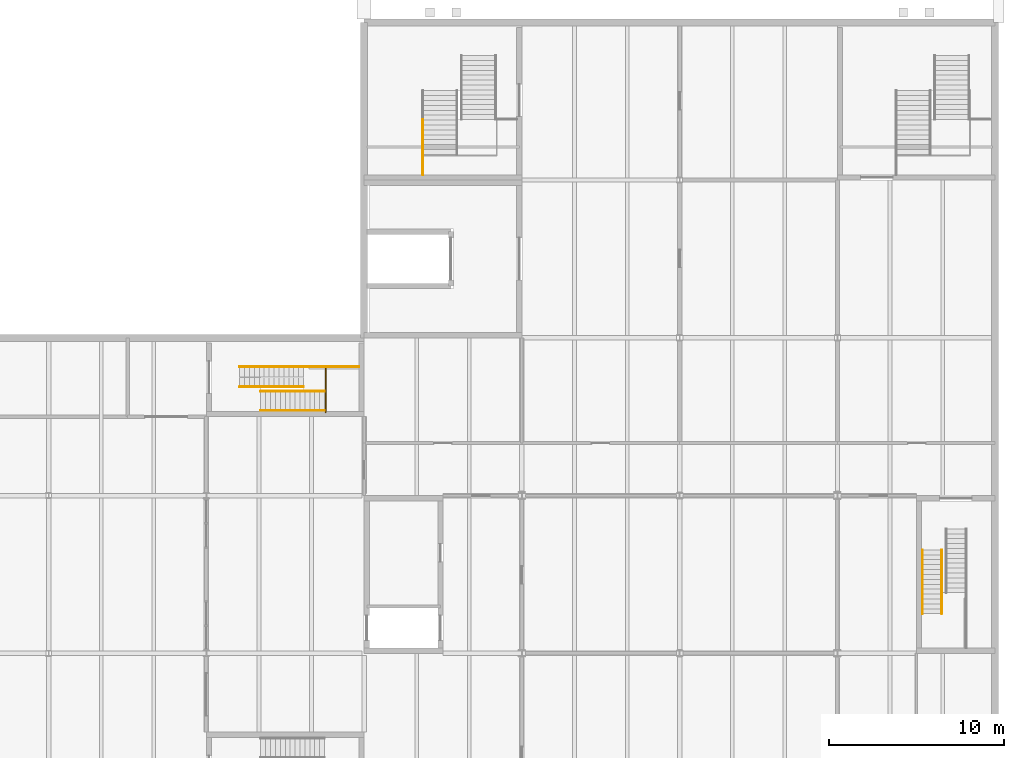
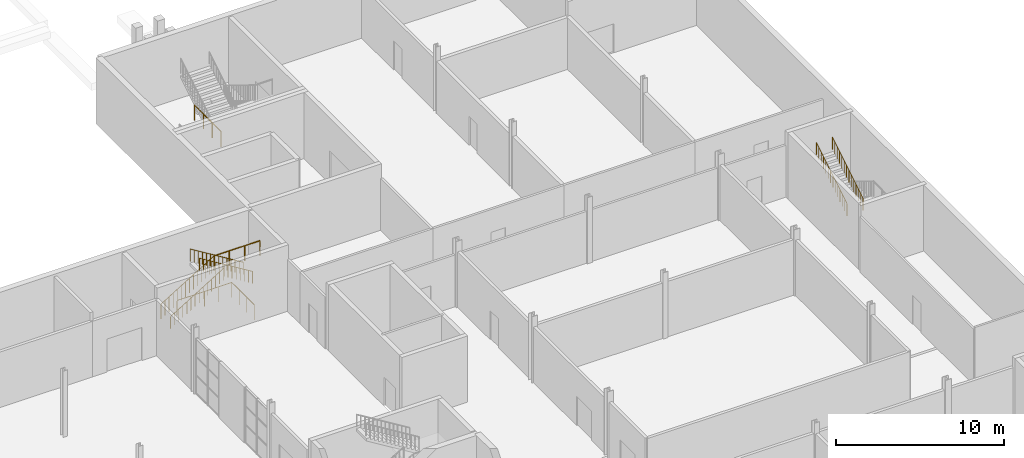
# One storey, part 29 of 31: 9 railings.
"""IFC4 building model written with IfcOpenShell, lengths in metres."""

from ifc_helpers import new_model, si_unit, direction, frame, origin, origin_2d, place, context, subcontext, project, spatial, circle, extrude, material, type_object, element, save


model = new_model("IFC4")

# Units and contexts
model_context = context("Model", 3, precision=1e-05, world=origin(), true_north=direction((0.0, 1.0)))
body_context = subcontext(model_context, "Body", "Model", "MODEL_VIEW")
ifc_project = project(units=[si_unit("LENGTHUNIT", "METRE"), si_unit("AREAUNIT", "SQUARE_METRE"), si_unit("VOLUMEUNIT", "CUBIC_METRE"), si_unit("PLANEANGLEUNIT", "RADIAN"), si_unit("MASSUNIT", "GRAM", prefix="KILO")], contexts=[model_context])

# Site, building, storey
site_placement = place(None, origin())
site = spatial("IfcSite", under=ifc_project, at=site_placement, CompositionType="ELEMENT")
building_placement = place(site_placement, origin())
building = spatial("IfcBuilding", under=site, at=building_placement, Name="Halyard Row Museum", CompositionType="ELEMENT")
storey_placement = place(building_placement, frame((0.0, 0.0, -4.800048828125)))
storey = spatial("IfcBuildingStorey", under=building, at=storey_placement, Name="B1", CompositionType="ELEMENT", Elevation=-4.800048828125)

# Railings
ifc_material_1 = material(Name="Steel Grade 300", Category="steel")
railing_type_1 = type_object("IfcRailingType", Name="Guard GR2 steel balustrade 1100", PredefinedType="GUARDRAIL", material=ifc_material_1)
railing_1_placement = place(storey_placement, frame((64.89990234375, 43.35009765625, 0.17138671875)))
element("IfcRailing", 1, at=railing_1_placement, inside=storey, type_object=railing_type_1, Name="Guard GR011", PredefinedType="GUARDRAIL", context=body_context, shape_type="SweptSolid", body=[
    extrude(circle(Radius=0.02392578125, at=origin_2d()), frame((0.0, 0.0, 1.076171875), z_axis=(0.852601252411, 0.0, 0.522562057929), x_axis=(0.0, 1.0, 0.0)), (0.0, 0.0, 1.0), 0.328369140625),
    extrude(circle(Radius=0.02392578125, at=origin_2d()), frame((0.280029296875, 0.0, 1.24755859375), z_axis=(0.852932391421, 0.0, 0.522021393877), x_axis=(0.0, 1.0, 0.0)), (0.0, 0.0, 1.0), 0.328369140625),
    extrude(circle(Radius=0.02392578125, at=origin_2d()), frame((0.56005859375, 0.0, 1.4189453125), z_axis=(0.852932391421, 0.0, 0.522021393877), x_axis=(0.0, 1.0, 0.0)), (0.0, 0.0, 1.0), 0.328369140625),
    extrude(circle(Radius=0.02392578125, at=origin_2d()), frame((0.840087890625, 0.0, 1.59033203125), z_axis=(0.852932391421, 0.0, 0.522021393877), x_axis=(0.0, 1.0, 0.0)), (0.0, 0.0, 1.0), 0.328369140625),
    extrude(circle(Radius=0.02392578125, at=origin_2d()), frame((1.1201171875, 0.0, 1.76171875), z_axis=(0.852932391421, 0.0, 0.522021393877), x_axis=(0.0, 1.0, 0.0)), (0.0, 0.0, 1.0), 0.328369140625),
    extrude(circle(Radius=0.02392578125, at=origin_2d()), frame((1.400146484375, 0.0, 1.93310546875), z_axis=(0.852932391421, 0.0, 0.522021393877), x_axis=(0.0, 1.0, 0.0)), (0.0, 0.0, 1.0), 0.328369140625),
    extrude(circle(Radius=0.02392578125, at=origin_2d()), frame((1.68017578125, 0.0, 2.1044921875), z_axis=(0.852601252411, 0.0, 0.522562057929), x_axis=(0.0, 1.0, 0.0)), (0.0, 0.0, 1.0), 0.328369140625),
    extrude(circle(Radius=0.02392578125, at=origin_2d()), frame((1.960205078125, 0.0, 2.2763671875), z_axis=(0.852729557261, 0.0, 0.522352660731), x_axis=(0.0, 1.0, 0.0)), (0.0, 0.0, 1.0), 0.328125),
    extrude(circle(Radius=0.02392578125, at=origin_2d()), frame((2.239990234375, 0.0, 2.44775390625), z_axis=(0.852932391421, 0.0, 0.522021393877), x_axis=(0.0, 1.0, 0.0)), (0.0, 0.0, 1.0), 0.328369140625),
    extrude(circle(Radius=0.02392578125, at=origin_2d()), frame((2.52001953125, 0.0, 2.619140625), z_axis=(0.852932391421, 0.0, 0.522021393877), x_axis=(0.0, 1.0, 0.0)), (0.0, 0.0, 1.0), 0.328369140625),
    extrude(circle(Radius=0.02392578125, at=origin_2d()), frame((2.800048828125, 0.0, 2.79052734375), z_axis=(0.852932391421, 0.0, 0.522021393877), x_axis=(0.0, 1.0, 0.0)), (0.0, 0.0, 1.0), 0.328369140625),
    extrude(circle(Radius=0.02392578125, at=origin_2d()), frame((3.080078125, 0.0, 2.9619140625), z_axis=(0.852932391421, 0.0, 0.522021393877), x_axis=(0.0, 1.0, 0.0)), (0.0, 0.0, 1.0), 0.328369140625),
    extrude(circle(Radius=0.02392578125, at=origin_2d()), frame((3.360107421875, 0.0, 3.13330078125), z_axis=(0.852601252411, 0.0, 0.522562057929), x_axis=(0.0, 1.0, 0.0)), (0.0, 0.0, 1.0), 0.328369140625),
    extrude(circle(Radius=0.02099609375, at=origin_2d()), origin(), (0.0, 0.0, 1.0), 1.052001953125),
    extrude(circle(Radius=0.02099609375, at=origin_2d()), frame((0.280029296875, 0.0, 0.171630859375)), (0.0, 0.0, 1.0), 1.052001953125),
    extrude(circle(Radius=0.02099609375, at=origin_2d()), frame((0.56005859375, 0.0, 0.343017578125)), (0.0, 0.0, 1.0), 1.052001953125),
    extrude(circle(Radius=0.02099609375, at=origin_2d()), frame((0.840087890625, 0.0, 0.514404296875)), (0.0, 0.0, 1.0), 1.052001953125),
    extrude(circle(Radius=0.02099609375, at=origin_2d()), frame((1.1201171875, 0.0, 0.685791015625)), (0.0, 0.0, 1.0), 1.052001953125),
    extrude(circle(Radius=0.02099609375, at=origin_2d()), frame((1.400146484375, 0.0, 0.857177734375)), (0.0, 0.0, 1.0), 1.052001953125),
    extrude(circle(Radius=0.02099609375, at=origin_2d()), frame((1.68017578125, 0.0, 1.028564453125)), (0.0, 0.0, 1.0), 1.052001953125),
    extrude(circle(Radius=0.02099609375, at=origin_2d()), frame((1.960205078125, 0.0, 1.2001953125)), (0.0, 0.0, 1.0), 1.052001953125),
    extrude(circle(Radius=0.02099609375, at=origin_2d()), frame((2.239990234375, 0.0, 1.37158203125)), (0.0, 0.0, 1.0), 1.052001953125),
    extrude(circle(Radius=0.02099609375, at=origin_2d()), frame((2.52001953125, 0.0, 1.54296875)), (0.0, 0.0, 1.0), 1.052001953125),
    extrude(circle(Radius=0.02099609375, at=origin_2d()), frame((2.800048828125, 0.0, 1.71435546875)), (0.0, 0.0, 1.0), 1.052001953125),
    extrude(circle(Radius=0.02099609375, at=origin_2d()), frame((3.080078125, 0.0, 1.8857421875)), (0.0, 0.0, 1.0), 1.052001953125),
    extrude(circle(Radius=0.02099609375, at=origin_2d()), frame((3.360107421875, 0.0, 2.05712890625)), (0.0, 0.0, 1.0), 1.052001953125),
    extrude(circle(Radius=0.02099609375, at=origin_2d()), frame((3.64013671875, 0.0, 2.228759765625)), (0.0, 0.0, 1.0), 1.052001953125),
])
railing_2_placement = place(storey_placement, frame((68.5400390625, 43.35009765625, 2.400146484375)))
element("IfcRailing", 2, at=railing_2_placement, inside=storey, type_object=railing_type_1, Name="Guard GR012", PredefinedType="GUARDRAIL", context=body_context, shape_type="SweptSolid", body=[
    extrude(circle(Radius=0.02392578125, at=origin_2d()), frame((0.0, 0.0, 1.076171875), z_axis=(1.0, 0.0, 0.0), x_axis=(0.0, 1.0, 0.0)), (0.0, 0.0, 1.0), 3.159912109375),
    extrude(circle(Radius=0.02099609375, at=origin_2d()), origin(), (0.0, 0.0, 1.0), 1.052001953125),
    extrude(circle(Radius=0.02099609375, at=origin_2d()), frame((1.05322265625, 0.0, 0.0)), (0.0, 0.0, 1.0), 1.052001953125),
    extrude(circle(Radius=0.02099609375, at=origin_2d()), frame((2.106689453125, 0.0, 0.0)), (0.0, 0.0, 1.0), 1.052001953125),
    extrude(circle(Radius=0.02099609375, at=origin_2d()), frame((3.159912109375, 0.0, 0.0)), (0.0, 0.0, 1.0), 1.052001953125),
])
railing_3_placement = place(storey_placement, frame((75.35009765625, 57.4599609375, 2.400146484375)))
element("IfcRailing", 3, at=railing_3_placement, inside=storey, type_object=railing_type_1, Name="Guard GR099", PredefinedType="GUARDRAIL", context=body_context, shape_type="SweptSolid", body=[
    extrude(circle(Radius=0.02392578125, at=origin_2d()), frame((0.0, 0.0, 1.076171875), z_axis=(0.0, -1.0, 0.0), x_axis=(1.0, 0.0, 0.0)), (0.0, 0.0, 1.0), 3.159912109375),
    extrude(circle(Radius=0.02099609375, at=origin_2d()), origin(), (0.0, 0.0, 1.0), 1.052001953125),
    extrude(circle(Radius=0.02099609375, at=origin_2d()), frame((0.0, -1.05322265625, 0.0)), (0.0, 0.0, 1.0), 1.052001953125),
    extrude(circle(Radius=0.02099609375, at=origin_2d()), frame((0.0, -2.106689453125, 0.0)), (0.0, 0.0, 1.0), 1.052001953125),
    extrude(circle(Radius=0.02099609375, at=origin_2d()), frame((0.0, -3.159912109375, 0.0)), (0.0, 0.0, 1.0), 1.052001953125),
])
railing_4_placement = place(storey_placement, frame((66.0400390625, 43.409912109375, 0.0)))
element("IfcRailing", 4, at=railing_4_placement, inside=storey, type_object=railing_type_1, Name="Guard GR141", PredefinedType="GUARDRAIL", context=body_context, shape_type="SweptSolid", body=[
    extrude(circle(Radius=0.02392578125, at=origin_2d()), frame((0.0, 0.0, 1.076171875), z_axis=(1.0, 0.0, 0.0), x_axis=(0.0, 1.0, 0.0)), (0.0, 0.0, 1.0), 3.760009765625),
    extrude(circle(Radius=0.02392578125, at=origin_2d()), frame((3.760009765625, 0.0, 1.076171875), z_axis=(0.0, -1.0, 0.0), x_axis=(1.0, 0.0, 0.0)), (0.0, 0.0, 1.0), 2.669921875),
    extrude(circle(Radius=0.02099609375, at=origin_2d()), origin(), (0.0, 0.0, 1.0), 1.052001953125),
    extrude(circle(Radius=0.02099609375, at=origin_2d()), frame((0.93994140625, 0.0, 0.0)), (0.0, 0.0, 1.0), 1.052001953125),
    extrude(circle(Radius=0.02099609375, at=origin_2d()), frame((1.8798828125, 0.0, 0.0)), (0.0, 0.0, 1.0), 1.052001953125),
    extrude(circle(Radius=0.02099609375, at=origin_2d()), frame((2.820068359375, 0.0, 0.0)), (0.0, 0.0, 1.0), 1.052001953125),
    extrude(circle(Radius=0.02099609375, at=origin_2d()), frame((3.760009765625, 0.0, 0.0)), (0.0, 0.0, 1.0), 1.052001953125),
    extrude(circle(Radius=0.02099609375, at=origin_2d()), frame((3.760009765625, -0.889892578125, 0.0)), (0.0, 0.0, 1.0), 1.052001953125),
    extrude(circle(Radius=0.02099609375, at=origin_2d()), frame((3.760009765625, -1.780029296875, 0.0)), (0.0, 0.0, 1.0), 1.052001953125),
    extrude(circle(Radius=0.02099609375, at=origin_2d()), frame((3.760009765625, -2.669921875, 0.0)), (0.0, 0.0, 1.0), 1.052001953125),
])
ifc_material_2 = material(Name="Steel Grade 300", Category="steel")
railing_type_2 = type_object("IfcRailingType", Name="Handrail HR2 steel 900", PredefinedType="HANDRAIL", material=ifc_material_2)
railing_5_placement = place(storey_placement, frame((64.89990234375, 42.199951171875, 0.17138671875)))
element("IfcRailing", 5, at=railing_5_placement, inside=storey, type_object=railing_type_2, Name="Handrail HR016", PredefinedType="HANDRAIL", context=body_context, shape_type="SweptSolid", body=[
    extrude(circle(Radius=0.02392578125, at=origin_2d()), frame((0.0, 0.0, 0.8759765625), z_axis=(0.852601252411, 0.0, 0.522562057929), x_axis=(0.0, 1.0, 0.0)), (0.0, 0.0, 1.0), 0.328369140625),
    extrude(circle(Radius=0.02392578125, at=origin_2d()), frame((0.280029296875, 0.0, 1.04736328125), z_axis=(0.852932391421, 0.0, 0.522021393877), x_axis=(0.0, 1.0, 0.0)), (0.0, 0.0, 1.0), 0.328369140625),
    extrude(circle(Radius=0.02392578125, at=origin_2d()), frame((0.56005859375, 0.0, 1.21875), z_axis=(0.852932391421, 0.0, 0.522021393877), x_axis=(0.0, 1.0, 0.0)), (0.0, 0.0, 1.0), 0.328369140625),
    extrude(circle(Radius=0.02392578125, at=origin_2d()), frame((0.840087890625, 0.0, 1.39013671875), z_axis=(0.852932391421, 0.0, 0.522021393877), x_axis=(0.0, 1.0, 0.0)), (0.0, 0.0, 1.0), 0.328369140625),
    extrude(circle(Radius=0.02392578125, at=origin_2d()), frame((1.1201171875, 0.0, 1.5615234375), z_axis=(0.852932391421, 0.0, 0.522021393877), x_axis=(0.0, 1.0, 0.0)), (0.0, 0.0, 1.0), 0.328369140625),
    extrude(circle(Radius=0.02392578125, at=origin_2d()), frame((1.400146484375, 0.0, 1.73291015625), z_axis=(0.852932391421, 0.0, 0.522021393877), x_axis=(0.0, 1.0, 0.0)), (0.0, 0.0, 1.0), 0.328369140625),
    extrude(circle(Radius=0.02392578125, at=origin_2d()), frame((1.68017578125, 0.0, 1.904296875), z_axis=(0.852601252411, 0.0, 0.522562057929), x_axis=(0.0, 1.0, 0.0)), (0.0, 0.0, 1.0), 0.328369140625),
    extrude(circle(Radius=0.02392578125, at=origin_2d()), frame((1.960205078125, 0.0, 2.076171875), z_axis=(0.852729557261, 0.0, 0.522352660731), x_axis=(0.0, 1.0, 0.0)), (0.0, 0.0, 1.0), 0.328125),
    extrude(circle(Radius=0.02392578125, at=origin_2d()), frame((2.239990234375, 0.0, 2.24755859375), z_axis=(0.852932391421, 0.0, 0.522021393877), x_axis=(0.0, 1.0, 0.0)), (0.0, 0.0, 1.0), 0.328369140625),
    extrude(circle(Radius=0.02392578125, at=origin_2d()), frame((2.52001953125, 0.0, 2.4189453125), z_axis=(0.852932391421, 0.0, 0.522021393877), x_axis=(0.0, 1.0, 0.0)), (0.0, 0.0, 1.0), 0.328369140625),
    extrude(circle(Radius=0.02392578125, at=origin_2d()), frame((2.800048828125, 0.0, 2.59033203125), z_axis=(0.852932391421, 0.0, 0.522021393877), x_axis=(0.0, 1.0, 0.0)), (0.0, 0.0, 1.0), 0.328369140625),
    extrude(circle(Radius=0.02392578125, at=origin_2d()), frame((3.080078125, 0.0, 2.76171875), z_axis=(0.852932391421, 0.0, 0.522021393877), x_axis=(0.0, 1.0, 0.0)), (0.0, 0.0, 1.0), 0.328369140625),
    extrude(circle(Radius=0.02392578125, at=origin_2d()), frame((3.360107421875, 0.0, 2.93310546875), z_axis=(0.852601252411, 0.0, 0.522562057929), x_axis=(0.0, 1.0, 0.0)), (0.0, 0.0, 1.0), 0.328369140625),
    extrude(circle(Radius=0.02099609375, at=origin_2d()), origin(), (0.0, 0.0, 1.0), 0.851806640625),
    extrude(circle(Radius=0.02099609375, at=origin_2d()), frame((0.280029296875, 0.0, 0.171630859375)), (0.0, 0.0, 1.0), 0.851806640625),
    extrude(circle(Radius=0.02099609375, at=origin_2d()), frame((0.56005859375, 0.0, 0.343017578125)), (0.0, 0.0, 1.0), 0.851806640625),
    extrude(circle(Radius=0.02099609375, at=origin_2d()), frame((0.840087890625, 0.0, 0.514404296875)), (0.0, 0.0, 1.0), 0.851806640625),
    extrude(circle(Radius=0.02099609375, at=origin_2d()), frame((1.1201171875, 0.0, 0.685791015625)), (0.0, 0.0, 1.0), 0.851806640625),
    extrude(circle(Radius=0.02099609375, at=origin_2d()), frame((1.400146484375, 0.0, 0.857177734375)), (0.0, 0.0, 1.0), 0.851806640625),
    extrude(circle(Radius=0.02099609375, at=origin_2d()), frame((1.68017578125, 0.0, 1.028564453125)), (0.0, 0.0, 1.0), 0.851806640625),
    extrude(circle(Radius=0.02099609375, at=origin_2d()), frame((1.960205078125, 0.0, 1.2001953125)), (0.0, 0.0, 1.0), 0.851806640625),
    extrude(circle(Radius=0.02099609375, at=origin_2d()), frame((2.239990234375, 0.0, 1.37158203125)), (0.0, 0.0, 1.0), 0.851806640625),
    extrude(circle(Radius=0.02099609375, at=origin_2d()), frame((2.52001953125, 0.0, 1.54296875)), (0.0, 0.0, 1.0), 0.851806640625),
    extrude(circle(Radius=0.02099609375, at=origin_2d()), frame((2.800048828125, 0.0, 1.71435546875)), (0.0, 0.0, 1.0), 0.851806640625),
    extrude(circle(Radius=0.02099609375, at=origin_2d()), frame((3.080078125, 0.0, 1.8857421875)), (0.0, 0.0, 1.0), 0.851806640625),
    extrude(circle(Radius=0.02099609375, at=origin_2d()), frame((3.360107421875, 0.0, 2.05712890625)), (0.0, 0.0, 1.0), 0.851806640625),
    extrude(circle(Radius=0.02099609375, at=origin_2d()), frame((3.64013671875, 0.0, 2.228759765625)), (0.0, 0.0, 1.0), 0.851806640625),
])
railing_6_placement = place(storey_placement, frame((69.739990234375, 40.85009765625, 2.571533203125)))
element("IfcRailing", 6, at=railing_6_placement, inside=storey, type_object=railing_type_2, Name="Handrail HR017", PredefinedType="HANDRAIL", context=body_context, shape_type="SweptSolid", body=[
    extrude(circle(Radius=0.02392578125, at=origin_2d()), frame((0.0, 0.0, 0.8759765625), z_axis=(-0.852932391421, 0.0, 0.522021393877), x_axis=(0.0, -1.0, 0.0)), (0.0, 0.0, 1.0), 0.328369140625),
    extrude(circle(Radius=0.02392578125, at=origin_2d()), frame((-0.280029296875, 0.0, 1.04736328125), z_axis=(-0.852932391421, 0.0, 0.522021393877), x_axis=(0.0, -1.0, 0.0)), (0.0, 0.0, 1.0), 0.328369140625),
    extrude(circle(Radius=0.02392578125, at=origin_2d()), frame((-0.56005859375, 0.0, 1.21875), z_axis=(-0.852932391421, 0.0, 0.522021393877), x_axis=(0.0, -1.0, 0.0)), (0.0, 0.0, 1.0), 0.328369140625),
    extrude(circle(Radius=0.02392578125, at=origin_2d()), frame((-0.840087890625, 0.0, 1.39013671875), z_axis=(-0.852729557261, 0.0, 0.522352660731), x_axis=(0.0, -1.0, 0.0)), (0.0, 0.0, 1.0), 0.328125),
    extrude(circle(Radius=0.02392578125, at=origin_2d()), frame((-1.119873046875, 0.0, 1.5615234375), z_axis=(-0.852601252411, 0.0, 0.522562057929), x_axis=(0.0, -1.0, 0.0)), (0.0, 0.0, 1.0), 0.328369140625),
    extrude(circle(Radius=0.02392578125, at=origin_2d()), frame((-1.39990234375, 0.0, 1.73291015625), z_axis=(-0.852932391421, 0.0, 0.522021393877), x_axis=(0.0, -1.0, 0.0)), (0.0, 0.0, 1.0), 0.328369140625),
    extrude(circle(Radius=0.02392578125, at=origin_2d()), frame((-1.679931640625, 0.0, 1.904296875), z_axis=(-0.852932391421, 0.0, 0.522021393877), x_axis=(0.0, -1.0, 0.0)), (0.0, 0.0, 1.0), 0.328369140625),
    extrude(circle(Radius=0.02392578125, at=origin_2d()), frame((-1.9599609375, 0.0, 2.07568359375), z_axis=(-0.852932391421, 0.0, 0.522021393877), x_axis=(0.0, -1.0, 0.0)), (0.0, 0.0, 1.0), 0.328369140625),
    extrude(circle(Radius=0.02392578125, at=origin_2d()), frame((-2.239990234375, 0.0, 2.2470703125), z_axis=(-0.852932391421, 0.0, 0.522021393877), x_axis=(0.0, -1.0, 0.0)), (0.0, 0.0, 1.0), 0.328369140625),
    extrude(circle(Radius=0.02392578125, at=origin_2d()), frame((-2.52001953125, 0.0, 2.41845703125), z_axis=(-0.852932391421, 0.0, 0.522021393877), x_axis=(0.0, -1.0, 0.0)), (0.0, 0.0, 1.0), 0.328369140625),
    extrude(circle(Radius=0.02392578125, at=origin_2d()), frame((-2.800048828125, 0.0, 2.58984375), z_axis=(-0.852601252411, 0.0, 0.522562057929), x_axis=(0.0, -1.0, 0.0)), (0.0, 0.0, 1.0), 0.328369140625),
    extrude(circle(Radius=0.02392578125, at=origin_2d()), frame((-3.080078125, 0.0, 2.76171875), z_axis=(-0.852932391421, 0.0, 0.522021393877), x_axis=(0.0, -1.0, 0.0)), (0.0, 0.0, 1.0), 0.328369140625),
    extrude(circle(Radius=0.02392578125, at=origin_2d()), frame((-3.360107421875, 0.0, 2.93310546875), z_axis=(-0.852729557261, 0.0, 0.522352660731), x_axis=(0.0, -1.0, 0.0)), (0.0, 0.0, 1.0), 0.328125),
    extrude(circle(Radius=0.02099609375, at=origin_2d()), origin(), (0.0, 0.0, 1.0), 0.851806640625),
    extrude(circle(Radius=0.02099609375, at=origin_2d()), frame((-0.280029296875, 0.0, 0.17138671875)), (0.0, 0.0, 1.0), 0.851806640625),
    extrude(circle(Radius=0.02099609375, at=origin_2d()), frame((-0.56005859375, 0.0, 0.3427734375)), (0.0, 0.0, 1.0), 0.851806640625),
    extrude(circle(Radius=0.02099609375, at=origin_2d()), frame((-0.840087890625, 0.0, 0.51416015625)), (0.0, 0.0, 1.0), 0.851806640625),
    extrude(circle(Radius=0.02099609375, at=origin_2d()), frame((-1.119873046875, 0.0, 0.685546875)), (0.0, 0.0, 1.0), 0.851806640625),
    extrude(circle(Radius=0.02099609375, at=origin_2d()), frame((-1.39990234375, 0.0, 0.857177734375)), (0.0, 0.0, 1.0), 0.851806640625),
    extrude(circle(Radius=0.02099609375, at=origin_2d()), frame((-1.679931640625, 0.0, 1.028564453125)), (0.0, 0.0, 1.0), 0.851806640625),
    extrude(circle(Radius=0.02099609375, at=origin_2d()), frame((-1.9599609375, 0.0, 1.199951171875)), (0.0, 0.0, 1.0), 0.851806640625),
    extrude(circle(Radius=0.02099609375, at=origin_2d()), frame((-2.239990234375, 0.0, 1.371337890625)), (0.0, 0.0, 1.0), 0.851806640625),
    extrude(circle(Radius=0.02099609375, at=origin_2d()), frame((-2.52001953125, 0.0, 1.542724609375)), (0.0, 0.0, 1.0), 0.851806640625),
    extrude(circle(Radius=0.02099609375, at=origin_2d()), frame((-2.800048828125, 0.0, 1.714111328125)), (0.0, 0.0, 1.0), 0.851806640625),
    extrude(circle(Radius=0.02099609375, at=origin_2d()), frame((-3.080078125, 0.0, 1.8857421875)), (0.0, 0.0, 1.0), 0.851806640625),
    extrude(circle(Radius=0.02099609375, at=origin_2d()), frame((-3.360107421875, 0.0, 2.05712890625)), (0.0, 0.0, 1.0), 0.851806640625),
    extrude(circle(Radius=0.02099609375, at=origin_2d()), frame((-3.639892578125, 0.0, 2.228515625)), (0.0, 0.0, 1.0), 0.851806640625),
])
railing_7_placement = place(storey_placement, frame((69.739990234375, 41.949951171875, 2.571533203125)))
element("IfcRailing", 7, at=railing_7_placement, inside=storey, type_object=railing_type_2, Name="Handrail HR018", PredefinedType="HANDRAIL", context=body_context, shape_type="SweptSolid", body=[
    extrude(circle(Radius=0.02392578125, at=origin_2d()), frame((0.0, 0.0, 0.8759765625), z_axis=(-0.852932391421, 0.0, 0.522021393877), x_axis=(0.0, -1.0, 0.0)), (0.0, 0.0, 1.0), 0.328369140625),
    extrude(circle(Radius=0.02392578125, at=origin_2d()), frame((-0.280029296875, 0.0, 1.04736328125), z_axis=(-0.852932391421, 0.0, 0.522021393877), x_axis=(0.0, -1.0, 0.0)), (0.0, 0.0, 1.0), 0.328369140625),
    extrude(circle(Radius=0.02392578125, at=origin_2d()), frame((-0.56005859375, 0.0, 1.21875), z_axis=(-0.852932391421, 0.0, 0.522021393877), x_axis=(0.0, -1.0, 0.0)), (0.0, 0.0, 1.0), 0.328369140625),
    extrude(circle(Radius=0.02392578125, at=origin_2d()), frame((-0.840087890625, 0.0, 1.39013671875), z_axis=(-0.852729557261, 0.0, 0.522352660731), x_axis=(0.0, -1.0, 0.0)), (0.0, 0.0, 1.0), 0.328125),
    extrude(circle(Radius=0.02392578125, at=origin_2d()), frame((-1.119873046875, 0.0, 1.5615234375), z_axis=(-0.852601252411, 0.0, 0.522562057929), x_axis=(0.0, -1.0, 0.0)), (0.0, 0.0, 1.0), 0.328369140625),
    extrude(circle(Radius=0.02392578125, at=origin_2d()), frame((-1.39990234375, 0.0, 1.73291015625), z_axis=(-0.852932391421, 0.0, 0.522021393877), x_axis=(0.0, -1.0, 0.0)), (0.0, 0.0, 1.0), 0.328369140625),
    extrude(circle(Radius=0.02392578125, at=origin_2d()), frame((-1.679931640625, 0.0, 1.904296875), z_axis=(-0.852932391421, 0.0, 0.522021393877), x_axis=(0.0, -1.0, 0.0)), (0.0, 0.0, 1.0), 0.328369140625),
    extrude(circle(Radius=0.02392578125, at=origin_2d()), frame((-1.9599609375, 0.0, 2.07568359375), z_axis=(-0.852932391421, 0.0, 0.522021393877), x_axis=(0.0, -1.0, 0.0)), (0.0, 0.0, 1.0), 0.328369140625),
    extrude(circle(Radius=0.02392578125, at=origin_2d()), frame((-2.239990234375, 0.0, 2.2470703125), z_axis=(-0.852932391421, 0.0, 0.522021393877), x_axis=(0.0, -1.0, 0.0)), (0.0, 0.0, 1.0), 0.328369140625),
    extrude(circle(Radius=0.02392578125, at=origin_2d()), frame((-2.52001953125, 0.0, 2.41845703125), z_axis=(-0.852932391421, 0.0, 0.522021393877), x_axis=(0.0, -1.0, 0.0)), (0.0, 0.0, 1.0), 0.328369140625),
    extrude(circle(Radius=0.02392578125, at=origin_2d()), frame((-2.800048828125, 0.0, 2.58984375), z_axis=(-0.852601252411, 0.0, 0.522562057929), x_axis=(0.0, -1.0, 0.0)), (0.0, 0.0, 1.0), 0.328369140625),
    extrude(circle(Radius=0.02392578125, at=origin_2d()), frame((-3.080078125, 0.0, 2.76171875), z_axis=(-0.852932391421, 0.0, 0.522021393877), x_axis=(0.0, -1.0, 0.0)), (0.0, 0.0, 1.0), 0.328369140625),
    extrude(circle(Radius=0.02392578125, at=origin_2d()), frame((-3.360107421875, 0.0, 2.93310546875), z_axis=(-0.852729557261, 0.0, 0.522352660731), x_axis=(0.0, -1.0, 0.0)), (0.0, 0.0, 1.0), 0.328125),
    extrude(circle(Radius=0.02099609375, at=origin_2d()), origin(), (0.0, 0.0, 1.0), 0.851806640625),
    extrude(circle(Radius=0.02099609375, at=origin_2d()), frame((-0.280029296875, 0.0, 0.17138671875)), (0.0, 0.0, 1.0), 0.851806640625),
    extrude(circle(Radius=0.02099609375, at=origin_2d()), frame((-0.56005859375, 0.0, 0.3427734375)), (0.0, 0.0, 1.0), 0.851806640625),
    extrude(circle(Radius=0.02099609375, at=origin_2d()), frame((-0.840087890625, 0.0, 0.51416015625)), (0.0, 0.0, 1.0), 0.851806640625),
    extrude(circle(Radius=0.02099609375, at=origin_2d()), frame((-1.119873046875, 0.0, 0.685546875)), (0.0, 0.0, 1.0), 0.851806640625),
    extrude(circle(Radius=0.02099609375, at=origin_2d()), frame((-1.39990234375, 0.0, 0.857177734375)), (0.0, 0.0, 1.0), 0.851806640625),
    extrude(circle(Radius=0.02099609375, at=origin_2d()), frame((-1.679931640625, 0.0, 1.028564453125)), (0.0, 0.0, 1.0), 0.851806640625),
    extrude(circle(Radius=0.02099609375, at=origin_2d()), frame((-1.9599609375, 0.0, 1.199951171875)), (0.0, 0.0, 1.0), 0.851806640625),
    extrude(circle(Radius=0.02099609375, at=origin_2d()), frame((-2.239990234375, 0.0, 1.371337890625)), (0.0, 0.0, 1.0), 0.851806640625),
    extrude(circle(Radius=0.02099609375, at=origin_2d()), frame((-2.52001953125, 0.0, 1.542724609375)), (0.0, 0.0, 1.0), 0.851806640625),
    extrude(circle(Radius=0.02099609375, at=origin_2d()), frame((-2.800048828125, 0.0, 1.714111328125)), (0.0, 0.0, 1.0), 0.851806640625),
    extrude(circle(Radius=0.02099609375, at=origin_2d()), frame((-3.080078125, 0.0, 1.8857421875)), (0.0, 0.0, 1.0), 0.851806640625),
    extrude(circle(Radius=0.02099609375, at=origin_2d()), frame((-3.360107421875, 0.0, 2.05712890625)), (0.0, 0.0, 1.0), 0.851806640625),
    extrude(circle(Radius=0.02099609375, at=origin_2d()), frame((-3.639892578125, 0.0, 2.228515625)), (0.0, 0.0, 1.0), 0.851806640625),
])
railing_8_placement = place(storey_placement, frame((103.85009765625, 29.260009765625, 2.571533203125)))
element("IfcRailing", 8, at=railing_8_placement, inside=storey, type_object=railing_type_2, Name="Handrail HR092", PredefinedType="HANDRAIL", context=body_context, shape_type="SweptSolid", body=[
    extrude(circle(Radius=0.02392578125, at=origin_2d()), frame((0.0, 0.0, 0.8759765625), z_axis=(0.0, 0.852932391421, 0.522021393877), x_axis=(-1.0, 0.0, 0.0)), (0.0, 0.0, 1.0), 0.328369140625),
    extrude(circle(Radius=0.02392578125, at=origin_2d()), frame((0.0, 0.280029296875, 1.04736328125), z_axis=(0.0, 0.852932391421, 0.522021393877), x_axis=(-1.0, 0.0, 0.0)), (0.0, 0.0, 1.0), 0.328369140625),
    extrude(circle(Radius=0.02392578125, at=origin_2d()), frame((0.0, 0.56005859375, 1.21875), z_axis=(0.0, 0.852932391421, 0.522021393877), x_axis=(-1.0, 0.0, 0.0)), (0.0, 0.0, 1.0), 0.328369140625),
    extrude(circle(Radius=0.02392578125, at=origin_2d()), frame((0.0, 0.840087890625, 1.39013671875), z_axis=(0.0, 0.852729557261, 0.522352660731), x_axis=(-1.0, 0.0, 0.0)), (0.0, 0.0, 1.0), 0.328125),
    extrude(circle(Radius=0.02392578125, at=origin_2d()), frame((0.0, 1.119873046875, 1.5615234375), z_axis=(0.0, 0.852601252411, 0.522562057929), x_axis=(-1.0, 0.0, 0.0)), (0.0, 0.0, 1.0), 0.328369140625),
    extrude(circle(Radius=0.02392578125, at=origin_2d()), frame((0.0, 1.39990234375, 1.73291015625), z_axis=(0.0, 0.852932391421, 0.522021393877), x_axis=(-1.0, 0.0, 0.0)), (0.0, 0.0, 1.0), 0.328369140625),
    extrude(circle(Radius=0.02392578125, at=origin_2d()), frame((0.0, 1.679931640625, 1.904296875), z_axis=(0.0, 0.852932391421, 0.522021393877), x_axis=(-1.0, 0.0, 0.0)), (0.0, 0.0, 1.0), 0.328369140625),
    extrude(circle(Radius=0.02392578125, at=origin_2d()), frame((0.0, 1.9599609375, 2.07568359375), z_axis=(0.0, 0.852932391421, 0.522021393877), x_axis=(-1.0, 0.0, 0.0)), (0.0, 0.0, 1.0), 0.328369140625),
    extrude(circle(Radius=0.02392578125, at=origin_2d()), frame((0.0, 2.239990234375, 2.2470703125), z_axis=(0.0, 0.852932391421, 0.522021393877), x_axis=(-1.0, 0.0, 0.0)), (0.0, 0.0, 1.0), 0.328369140625),
    extrude(circle(Radius=0.02392578125, at=origin_2d()), frame((0.0, 2.52001953125, 2.41845703125), z_axis=(0.0, 0.852932391421, 0.522021393877), x_axis=(-1.0, 0.0, 0.0)), (0.0, 0.0, 1.0), 0.328369140625),
    extrude(circle(Radius=0.02392578125, at=origin_2d()), frame((0.0, 2.800048828125, 2.58984375), z_axis=(0.0, 0.852601252411, 0.522562057929), x_axis=(-1.0, 0.0, 0.0)), (0.0, 0.0, 1.0), 0.328369140625),
    extrude(circle(Radius=0.02392578125, at=origin_2d()), frame((0.0, 3.080078125, 2.76171875), z_axis=(0.0, 0.852932391421, 0.522021393877), x_axis=(-1.0, 0.0, 0.0)), (0.0, 0.0, 1.0), 0.328369140625),
    extrude(circle(Radius=0.02392578125, at=origin_2d()), frame((0.0, 3.360107421875, 2.93310546875), z_axis=(0.0, 0.852729557261, 0.522352660731), x_axis=(-1.0, 0.0, 0.0)), (0.0, 0.0, 1.0), 0.328125),
    extrude(circle(Radius=0.02099609375, at=origin_2d()), origin(), (0.0, 0.0, 1.0), 0.851806640625),
    extrude(circle(Radius=0.02099609375, at=origin_2d()), frame((0.0, 0.280029296875, 0.17138671875)), (0.0, 0.0, 1.0), 0.851806640625),
    extrude(circle(Radius=0.02099609375, at=origin_2d()), frame((0.0, 0.56005859375, 0.3427734375)), (0.0, 0.0, 1.0), 0.851806640625),
    extrude(circle(Radius=0.02099609375, at=origin_2d()), frame((0.0, 0.840087890625, 0.51416015625)), (0.0, 0.0, 1.0), 0.851806640625),
    extrude(circle(Radius=0.02099609375, at=origin_2d()), frame((0.0, 1.119873046875, 0.685546875)), (0.0, 0.0, 1.0), 0.851806640625),
    extrude(circle(Radius=0.02099609375, at=origin_2d()), frame((0.0, 1.39990234375, 0.857177734375)), (0.0, 0.0, 1.0), 0.851806640625),
    extrude(circle(Radius=0.02099609375, at=origin_2d()), frame((0.0, 1.679931640625, 1.028564453125)), (0.0, 0.0, 1.0), 0.851806640625),
    extrude(circle(Radius=0.02099609375, at=origin_2d()), frame((0.0, 1.9599609375, 1.199951171875)), (0.0, 0.0, 1.0), 0.851806640625),
    extrude(circle(Radius=0.02099609375, at=origin_2d()), frame((0.0, 2.239990234375, 1.371337890625)), (0.0, 0.0, 1.0), 0.851806640625),
    extrude(circle(Radius=0.02099609375, at=origin_2d()), frame((0.0, 2.52001953125, 1.542724609375)), (0.0, 0.0, 1.0), 0.851806640625),
    extrude(circle(Radius=0.02099609375, at=origin_2d()), frame((0.0, 2.800048828125, 1.714111328125)), (0.0, 0.0, 1.0), 0.851806640625),
    extrude(circle(Radius=0.02099609375, at=origin_2d()), frame((0.0, 3.080078125, 1.8857421875)), (0.0, 0.0, 1.0), 0.851806640625),
    extrude(circle(Radius=0.02099609375, at=origin_2d()), frame((0.0, 3.360107421875, 2.05712890625)), (0.0, 0.0, 1.0), 0.851806640625),
    extrude(circle(Radius=0.02099609375, at=origin_2d()), frame((0.0, 3.639892578125, 2.228515625)), (0.0, 0.0, 1.0), 0.851806640625),
])
railing_9_placement = place(storey_placement, frame((104.949951171875, 29.260009765625, 2.571533203125)))
element("IfcRailing", 9, at=railing_9_placement, inside=storey, type_object=railing_type_2, Name="Handrail HR093", PredefinedType="HANDRAIL", context=body_context, shape_type="SweptSolid", body=[
    extrude(circle(Radius=0.02392578125, at=origin_2d()), frame((0.0, 0.0, 0.8759765625), z_axis=(0.0, 0.852932391421, 0.522021393877), x_axis=(-1.0, 0.0, 0.0)), (0.0, 0.0, 1.0), 0.328369140625),
    extrude(circle(Radius=0.02392578125, at=origin_2d()), frame((0.0, 0.280029296875, 1.04736328125), z_axis=(0.0, 0.852932391421, 0.522021393877), x_axis=(-1.0, 0.0, 0.0)), (0.0, 0.0, 1.0), 0.328369140625),
    extrude(circle(Radius=0.02392578125, at=origin_2d()), frame((0.0, 0.56005859375, 1.21875), z_axis=(0.0, 0.852932391421, 0.522021393877), x_axis=(-1.0, 0.0, 0.0)), (0.0, 0.0, 1.0), 0.328369140625),
    extrude(circle(Radius=0.02392578125, at=origin_2d()), frame((0.0, 0.840087890625, 1.39013671875), z_axis=(0.0, 0.852729557261, 0.522352660731), x_axis=(-1.0, 0.0, 0.0)), (0.0, 0.0, 1.0), 0.328125),
    extrude(circle(Radius=0.02392578125, at=origin_2d()), frame((0.0, 1.119873046875, 1.5615234375), z_axis=(0.0, 0.852601252411, 0.522562057929), x_axis=(-1.0, 0.0, 0.0)), (0.0, 0.0, 1.0), 0.328369140625),
    extrude(circle(Radius=0.02392578125, at=origin_2d()), frame((0.0, 1.39990234375, 1.73291015625), z_axis=(0.0, 0.852932391421, 0.522021393877), x_axis=(-1.0, 0.0, 0.0)), (0.0, 0.0, 1.0), 0.328369140625),
    extrude(circle(Radius=0.02392578125, at=origin_2d()), frame((0.0, 1.679931640625, 1.904296875), z_axis=(0.0, 0.852932391421, 0.522021393877), x_axis=(-1.0, 0.0, 0.0)), (0.0, 0.0, 1.0), 0.328369140625),
    extrude(circle(Radius=0.02392578125, at=origin_2d()), frame((0.0, 1.9599609375, 2.07568359375), z_axis=(0.0, 0.852932391421, 0.522021393877), x_axis=(-1.0, 0.0, 0.0)), (0.0, 0.0, 1.0), 0.328369140625),
    extrude(circle(Radius=0.02392578125, at=origin_2d()), frame((0.0, 2.239990234375, 2.2470703125), z_axis=(0.0, 0.852932391421, 0.522021393877), x_axis=(-1.0, 0.0, 0.0)), (0.0, 0.0, 1.0), 0.328369140625),
    extrude(circle(Radius=0.02392578125, at=origin_2d()), frame((0.0, 2.52001953125, 2.41845703125), z_axis=(0.0, 0.852932391421, 0.522021393877), x_axis=(-1.0, 0.0, 0.0)), (0.0, 0.0, 1.0), 0.328369140625),
    extrude(circle(Radius=0.02392578125, at=origin_2d()), frame((0.0, 2.800048828125, 2.58984375), z_axis=(0.0, 0.852601252411, 0.522562057929), x_axis=(-1.0, 0.0, 0.0)), (0.0, 0.0, 1.0), 0.328369140625),
    extrude(circle(Radius=0.02392578125, at=origin_2d()), frame((0.0, 3.080078125, 2.76171875), z_axis=(0.0, 0.852932391421, 0.522021393877), x_axis=(-1.0, 0.0, 0.0)), (0.0, 0.0, 1.0), 0.328369140625),
    extrude(circle(Radius=0.02392578125, at=origin_2d()), frame((0.0, 3.360107421875, 2.93310546875), z_axis=(0.0, 0.852729557261, 0.522352660731), x_axis=(-1.0, 0.0, 0.0)), (0.0, 0.0, 1.0), 0.328125),
    extrude(circle(Radius=0.02099609375, at=origin_2d()), origin(), (0.0, 0.0, 1.0), 0.851806640625),
    extrude(circle(Radius=0.02099609375, at=origin_2d()), frame((0.0, 0.280029296875, 0.17138671875)), (0.0, 0.0, 1.0), 0.851806640625),
    extrude(circle(Radius=0.02099609375, at=origin_2d()), frame((0.0, 0.56005859375, 0.3427734375)), (0.0, 0.0, 1.0), 0.851806640625),
    extrude(circle(Radius=0.02099609375, at=origin_2d()), frame((0.0, 0.840087890625, 0.51416015625)), (0.0, 0.0, 1.0), 0.851806640625),
    extrude(circle(Radius=0.02099609375, at=origin_2d()), frame((0.0, 1.119873046875, 0.685546875)), (0.0, 0.0, 1.0), 0.851806640625),
    extrude(circle(Radius=0.02099609375, at=origin_2d()), frame((0.0, 1.39990234375, 0.857177734375)), (0.0, 0.0, 1.0), 0.851806640625),
    extrude(circle(Radius=0.02099609375, at=origin_2d()), frame((0.0, 1.679931640625, 1.028564453125)), (0.0, 0.0, 1.0), 0.851806640625),
    extrude(circle(Radius=0.02099609375, at=origin_2d()), frame((0.0, 1.9599609375, 1.199951171875)), (0.0, 0.0, 1.0), 0.851806640625),
    extrude(circle(Radius=0.02099609375, at=origin_2d()), frame((0.0, 2.239990234375, 1.371337890625)), (0.0, 0.0, 1.0), 0.851806640625),
    extrude(circle(Radius=0.02099609375, at=origin_2d()), frame((0.0, 2.52001953125, 1.542724609375)), (0.0, 0.0, 1.0), 0.851806640625),
    extrude(circle(Radius=0.02099609375, at=origin_2d()), frame((0.0, 2.800048828125, 1.714111328125)), (0.0, 0.0, 1.0), 0.851806640625),
    extrude(circle(Radius=0.02099609375, at=origin_2d()), frame((0.0, 3.080078125, 1.8857421875)), (0.0, 0.0, 1.0), 0.851806640625),
    extrude(circle(Radius=0.02099609375, at=origin_2d()), frame((0.0, 3.360107421875, 2.05712890625)), (0.0, 0.0, 1.0), 0.851806640625),
    extrude(circle(Radius=0.02099609375, at=origin_2d()), frame((0.0, 3.639892578125, 2.228515625)), (0.0, 0.0, 1.0), 0.851806640625),
])

save(model, "model.ifc")
